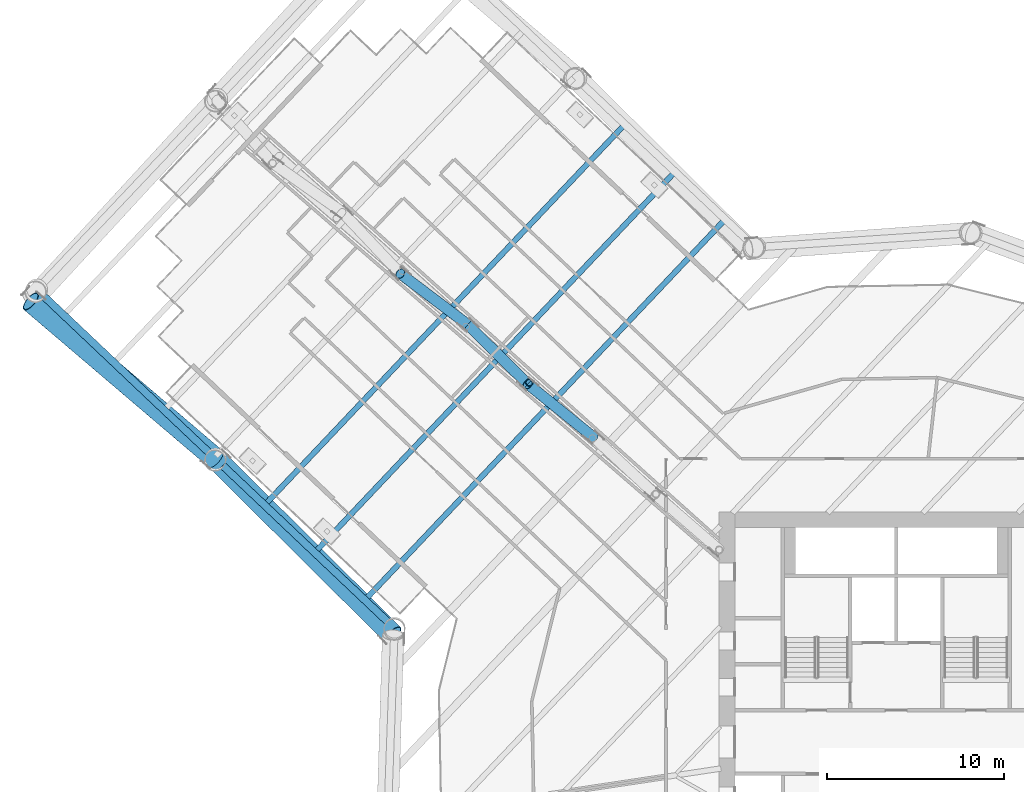
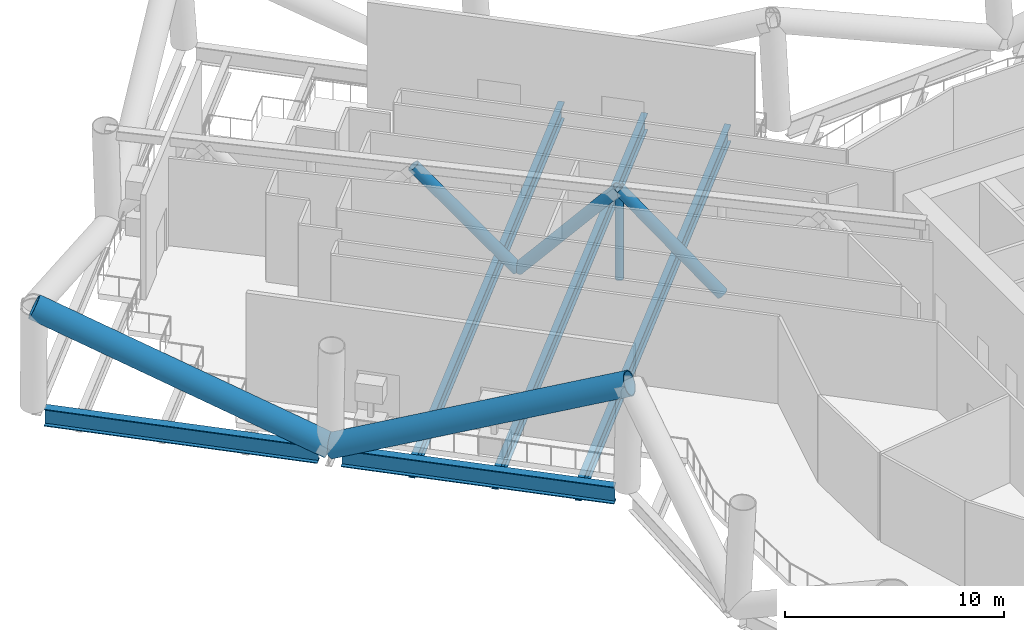
# One storey, part 7 of 39: 6 members, 5 beams.
"""IFC4 building model written with IfcOpenShell, lengths in metres."""

import ifcopenshell
import ifcopenshell.guid

model = None  # the IFC model being written
_history = None  # IfcOwnerHistory: only IFC2X3 demands one
_inside = {}  # id of a spatial element -> (the spatial element, [elements in it])
_under = {}  # id of a project, library or spatial element -> (it, [spatial elements below it])
_declared = {}  # id of a project -> (the project, [libraries it declares])
_typed = {}  # id of a type object -> (the type object, [elements of that type])
_made_of = {}  # id of a material, layer set ... -> (it, [elements and type objects made of it])


def new_model(schema):
    """Start an empty IFC model of exactly this schema.

    Asked for "IFC4X3", IfcOpenShell would pick the latest addendum, in which some entities
    have other attributes; the version numbers below select the first issue.
    IFC2X3 requires an IfcOwnerHistory on every rooted entity: one is made here for all.
    """
    global model, _history
    if schema == "IFC4X3":
        model = ifcopenshell.file(schema_version=(4, 3, 0, 0))
    else:
        model = ifcopenshell.file(schema=schema)
    _inside.clear()
    _under.clear()
    _declared.clear()
    _typed.clear()
    _made_of.clear()
    _history = None
    if model.schema == "IFC2X3":
        org = make("IfcOrganization", Name="unknown")
        user = make(
            "IfcPersonAndOrganization",
            ThePerson=make("IfcPerson", FamilyName="unknown"),
            TheOrganization=org,
        )
        app = make(
            "IfcApplication",
            ApplicationDeveloper=org,
            Version="unknown",
            ApplicationFullName="unknown",
            ApplicationIdentifier="unknown",
        )
        _history = make(
            "IfcOwnerHistory",
            OwningUser=user,
            OwningApplication=app,
            ChangeAction="ADDED",
            CreationDate=0,
        )
    return model


def make(cls, **values):
    """One entity of the class cls with the attributes given. An attribute that is None is left unset."""
    return model.create_entity(
        cls, **{name: value for name, value in values.items() if value is not None}
    )


def rooted(cls, **values):
    """An entity with a GlobalId (a new one), such as an element, a storey or a relation."""
    return make(cls, GlobalId=ifcopenshell.guid.new(), OwnerHistory=_history, **values)


def si_unit(unit_type, name, prefix=None):
    """IfcSIUnit, for example si_unit("LENGTHUNIT", "METRE", prefix="MILLI")."""
    return make("IfcSIUnit", UnitType=unit_type, Prefix=prefix, Name=name)


def assignment(units):
    """IfcUnitAssignment: the units of a project."""
    return None if units is None else make("IfcUnitAssignment", Units=units)


def point(xyz):
    """IfcCartesianPoint."""
    return None if xyz is None else make("IfcCartesianPoint", Coordinates=xyz)


def direction(xyz):
    """IfcDirection."""
    return None if xyz is None else make("IfcDirection", DirectionRatios=xyz)


def frame(location, z_axis=None, x_axis=None):
    """IfcAxis2Placement3D, a coordinate frame: its origin and axes. An axis left out is left unset."""
    return make(
        "IfcAxis2Placement3D",
        Location=point(location),
        Axis=direction(z_axis),
        RefDirection=direction(x_axis),
    )


def frame_2d(location, x_axis=None):
    """IfcAxis2Placement2D, a coordinate frame in the plane: its origin and x axis."""
    return make(
        "IfcAxis2Placement2D", Location=point(location), RefDirection=direction(x_axis)
    )


def origin():
    """The frame at (0, 0, 0) with its axes left unset."""
    return frame((0.0, 0.0, 0.0))


def origin_2d():
    """The frame at (0, 0) in the plane with its x axis left unset."""
    return frame_2d((0.0, 0.0))


def place(relative_to, where):
    """IfcLocalPlacement: puts the frame where relative to a parent placement (None: the world)."""
    return make(
        "IfcLocalPlacement", PlacementRelTo=relative_to, RelativePlacement=where
    )


def context(
    kind, dimensions, precision=None, world=None, true_north=None, identifier=None
):
    """IfcGeometricRepresentationContext, for example the 3D "Model" context."""
    return make(
        "IfcGeometricRepresentationContext",
        ContextIdentifier=identifier,
        ContextType=kind,
        CoordinateSpaceDimension=dimensions,
        Precision=precision,
        WorldCoordinateSystem=world,
        TrueNorth=true_north,
    )


def subcontext(parent, identifier, kind, view, scale=None):
    """IfcGeometricRepresentationSubContext, for example "Body" below "Model"."""
    return make(
        "IfcGeometricRepresentationSubContext",
        ContextIdentifier=identifier,
        ContextType=kind,
        ParentContext=parent,
        TargetScale=scale,
        TargetView=view,
    )


def project(units=None, contexts=None):
    """IfcProject with its units and contexts."""
    return rooted(
        "IfcProject",
        Name="project",
        RepresentationContexts=contexts,
        UnitsInContext=assignment(units),
    )


def spatial(cls, under=None, at=None, **own):
    """A site, building, storey or space (cls), placed at a placement, below another one or the project."""
    s = rooted(cls, ObjectPlacement=at, **own)
    if under is not None:
        _under.setdefault(under.id(), (under, []))[1].append(s)
    return s


def profile(cls, at=None, kind="AREA", **sizes):
    """A parametric profile (cls). Its sizes go by their IFC names, for example OverallWidth=200.0."""
    return make(cls, ProfileType=kind, Position=at, **sizes)


def hollow_circle(**sizes):
    """IfcCircleHollowProfileDef."""
    return profile("IfcCircleHollowProfileDef", **sizes)


def i_section(**sizes):
    """IfcIShapeProfileDef."""
    return profile("IfcIShapeProfileDef", **sizes)


def extrude(swept, where, along, depth):
    """IfcExtrudedAreaSolid: the profile swept, set in the frame where, extruded along a direction by depth."""
    return make(
        "IfcExtrudedAreaSolid",
        SweptArea=swept,
        Position=where,
        ExtrudedDirection=direction(along),
        Depth=depth,
    )


def shape(context_of_items, identifier, shape_type, items):
    """IfcShapeRepresentation: the items that make up one representation, for example the "Body"."""
    return make(
        "IfcShapeRepresentation",
        ContextOfItems=context_of_items,
        RepresentationIdentifier=identifier,
        RepresentationType=shape_type,
        Items=items,
    )


def material(Name=None, Category=None):
    """IfcMaterial."""
    return make("IfcMaterial", Name=Name, Category=Category)


def material_profile(
    of_material, cross_section, Name=None, Category=None, Priority=None
):
    """IfcMaterialProfile: a cross section and its material."""
    return make(
        "IfcMaterialProfile",
        Name=Name,
        Material=of_material,
        Profile=cross_section,
        Priority=Priority,
        Category=Category,
    )


def profile_set(profiles, Name=None, composite=None):
    """IfcMaterialProfileSet."""
    return make(
        "IfcMaterialProfileSet",
        Name=Name,
        MaterialProfiles=profiles,
        CompositeProfile=composite,
    )


def made_of(thing, what):
    """Note that an element or type object is made of a material, layer set ...; save() writes the relation."""
    if what is not None:
        _made_of.setdefault(what.id(), (what, []))[1].append(thing)
    return thing


def type_object(cls, material=None, **own):
    """A type object (cls), such as IfcWallType, which elements share."""
    return made_of(rooted(cls, **own), material)


def element(
    cls,
    number,
    at=None,
    inside=None,
    cuts=None,
    type_object=None,
    material=None,
    context=None,
    identifier="Body",
    shape_type=None,
    held_by="IfcProductDefinitionShape",
    body=None,
    shapes=None,
    **own,
):
    """One element of the class cls, such as IfcWall. Its Tag is "e" and its number.

    at: its placement. inside: the storey or other place that contains it. cuts: it is an
    opening in that element (IfcRelVoidsElement). A single representation is given by context,
    identifier, shape_type and body (its items); several are given by shapes. held_by: the class
    of the entity that holds the representations. save() writes the other relations.
    """
    e = rooted(cls, Tag="e%d" % number, ObjectPlacement=at, **own)
    if body is not None:
        shapes = [shape(context, identifier, shape_type, body)]
    if shapes is not None:
        e.Representation = make(held_by, Representations=shapes)
    if inside is not None:
        _inside.setdefault(inside.id(), (inside, []))[1].append(e)
    if cuts is not None:
        rooted(
            "IfcRelVoidsElement", RelatingBuildingElement=cuts, RelatedOpeningElement=e
        )
    if type_object is not None:
        _typed.setdefault(type_object.id(), (type_object, []))[1].append(e)
    return made_of(e, material)


def aggregate(whole, parts):
    """IfcRelAggregates: a whole, such as a stair, and the parts it consists of."""
    return rooted("IfcRelAggregates", RelatingObject=whole, RelatedObjects=parts)


def save(model, path):
    """Write the relations noted so far, then the file.

    IfcRelAggregates (storeys below a building ...), IfcRelContainedInSpatialStructure (elements
    in a storey), IfcRelDefinesByType, IfcRelAssociatesMaterial and IfcRelDeclares: one each for
    every whole, place, type object, material and project.
    """
    for whole, parts in _under.values():
        aggregate(whole, parts)
    for where, things in _inside.values():
        rooted(
            "IfcRelContainedInSpatialStructure",
            RelatedElements=things,
            RelatingStructure=where,
        )
    for kind, things in _typed.values():
        rooted("IfcRelDefinesByType", RelatedObjects=things, RelatingType=kind)
    for what, things in _made_of.values():
        rooted("IfcRelAssociatesMaterial", RelatedObjects=things, RelatingMaterial=what)
    for by, libraries in _declared.values():
        rooted("IfcRelDeclares", RelatingContext=by, RelatedDefinitions=libraries)
    model.write(path)


model = new_model("IFC4")

# Units and contexts
model_context = context("Model", 3, precision=1e-05, world=origin(), true_north=direction((0.0, 1.0)))
body_context = subcontext(model_context, "Body", "Model", "MODEL_VIEW")
ifc_project = project(units=[si_unit("LENGTHUNIT", "METRE"), si_unit("AREAUNIT", "SQUARE_METRE"), si_unit("VOLUMEUNIT", "CUBIC_METRE"), si_unit("PLANEANGLEUNIT", "RADIAN"), si_unit("MASSUNIT", "GRAM", prefix="KILO")], contexts=[model_context])

# Site, building, storey
site_placement = place(None, origin())
site = spatial("IfcSite", under=ifc_project, at=site_placement, CompositionType="ELEMENT")
building_placement = place(site_placement, origin())
building = spatial("IfcBuilding", under=site, at=building_placement, Name="Tarsis Ring Headquarters", CompositionType="ELEMENT")
storey_placement = place(building_placement, frame((0.0, 0.0, 86.800048828125)))
storey = spatial("IfcBuildingStorey", under=building, at=storey_placement, Name="L19", CompositionType="ELEMENT", Elevation=86.800048828125)

# Beams
ifc_material_1 = material(Name="Structural steel S355", Category="steel")
ifc_material_profile_1 = material_profile(ifc_material_1, i_section(OverallWidth=0.309814453125, OverallDepth=0.949951171875, WebThickness=0.0244140625, FlangeThickness=0.0439453125, at=origin_2d()), Name="W36x256")
ifc_profile_set_1 = profile_set([ifc_material_profile_1], Name="Structural steel S355")
beam_type_1 = type_object("IfcBeamType", Name="FB Floor beam W36x256", PredefinedType="JOIST", material=ifc_profile_set_1)
for number, where, z_axis, x_axis, name in (
    (1, (-9.7333984375, 29.432861328125, -0.775146484375), (-0.687340435099, -0.726335408939, 0.0), (0.726335408939, -0.687340435099, 0.0), "Floor beam FB11"),
    (2, (-12.566162109375, 32.11328125, -0.775146484375), (-0.687340435099, -0.726335408939, 0.0), (0.726335408939, -0.687340435099, 0.0), "Floor beam FB11"),
    (3, (-15.398681640625, 34.7939453125, -0.775146484375), (-0.687340435099, -0.726335408939, 0.0), (0.726335408939, -0.687340435099, 0.0), "Floor beam FB11"),
):
    element("IfcBeam", number, at=place(storey_placement, frame(where, z_axis=z_axis, x_axis=x_axis)), inside=storey, type_object=beam_type_1, Name=name, PredefinedType="JOIST", context=body_context, shape_type="SweptSolid", body=[
        extrude(i_section(OverallWidth=0.309814453125, OverallDepth=0.949951171875, WebThickness=0.0244140625, FlangeThickness=0.0439453125, at=origin_2d()), origin(), (0.0, 0.0, 1.0), 29.375732421875),
    ])

# Members
ifc_material_profile_2 = material_profile(ifc_material_1, hollow_circle(Radius=0.3046875, WallThickness=0.02490234375, at=origin_2d()), Name="CHS 610x25")
ifc_profile_set_2 = profile_set([ifc_material_profile_2], Name="Structural steel S355")
member_type_1 = type_object("IfcMemberType", Name="OD Outrigger diagonal CHS 610x25", PredefinedType="BRACE", material=ifc_profile_set_2)
member_1_placement = place(storey_placement, frame((-17.0927734375, 17.20654296875, 0.25390625), z_axis=(-0.518451970468, 0.41951075473, 0.74512970749), x_axis=(-0.629027503004, -0.777383046165, 0.0)))
element("IfcMember", 4, at=member_1_placement, inside=storey, type_object=member_type_1, Name="Outrigger diagonal OD1", PredefinedType="BRACE", context=body_context, shape_type="SweptSolid", body=[
    extrude(hollow_circle(Radius=0.3046875, WallThickness=0.02490234375, at=origin_2d()), origin(), (0.0, 0.0, 1.0), 7.15576171875),
])
member_2_placement = place(storey_placement, frame((-20.802734375, 20.20849609375, 5.5859375), z_axis=(-0.473169876844, 0.46890123982, -0.745816260846), x_axis=(-0.70389556988, -0.710303475075, 0.0)))
element("IfcMember", 5, at=member_2_placement, inside=storey, type_object=member_type_1, Name="Outrigger diagonal OD1", PredefinedType="BRACE", context=body_context, shape_type="SweptSolid", body=[
    extrude(hollow_circle(Radius=0.3046875, WallThickness=0.02490234375, at=origin_2d()), origin(), (0.0, 0.0, 1.0), 7.149169921875),
])
member_3_placement = place(storey_placement, frame((-24.185546875, 23.560791015625, 0.25390625), z_axis=(-0.53297800588, 0.402680863923, 0.744165685233), x_axis=(-0.602820100424, -0.797877137487, 0.0)))
element("IfcMember", 6, at=member_3_placement, inside=storey, type_object=member_type_1, Name="Outrigger diagonal OD1", PredefinedType="BRACE", context=body_context, shape_type="SweptSolid", body=[
    extrude(hollow_circle(Radius=0.3046875, WallThickness=0.02490234375, at=origin_2d()), origin(), (0.0, 0.0, 1.0), 7.1650390625),
])
ifc_material_profile_3 = material_profile(ifc_material_1, hollow_circle(Radius=0.203125, WallThickness=0.01611328125, at=origin_2d()), Name="CHS 406x16")
ifc_profile_set_3 = profile_set([ifc_material_profile_3], Name="Structural steel S355")
member_type_2 = type_object("IfcMemberType", Name="OV Outrigger post CHS 406x16", PredefinedType="STRUT", material=ifc_profile_set_3)
member_4_placement = place(storey_placement, frame((-20.720947265625, 20.296142578125, 0.508056640625), z_axis=(0.0, 0.0, 1.0), x_axis=(1.0, 0.0, 0.0)))
element("IfcMember", 7, at=member_4_placement, inside=storey, type_object=member_type_2, Name="Outrigger post OV1", PredefinedType="STRUT", context=body_context, shape_type="SweptSolid", body=[
    extrude(hollow_circle(Radius=0.203125, WallThickness=0.01611328125, at=origin_2d()), origin(), (0.0, 0.0, 1.0), 4.823974609375),
])
ifc_material_2 = material(Name="Structural steel S460", Category="steel")
ifc_material_profile_4 = material_profile(ifc_material_2, hollow_circle(Radius=0.609619140625, WallThickness=0.050048828125, at=origin_2d()), Name="CHS 1219x50")
ifc_profile_set_4 = profile_set([ifc_material_profile_4], Name="Structural steel S460")
member_type_3 = type_object("IfcMemberType", Name="TD Belt truss diagonal CHS 1219x50", PredefinedType="BRACE", material=ifc_profile_set_4)
member_5_placement = place(storey_placement, frame((-38.425537109375, 15.986328125, 0.0), z_axis=(-0.697471961729, 0.59404009573, 0.400810712516), x_axis=(-0.648401501854, -0.761298556674, 0.0)))
element("IfcMember", 8, at=member_5_placement, inside=storey, type_object=member_type_3, Name="Belt truss diagonal TD1", PredefinedType="BRACE", context=body_context, shape_type="SweptSolid", body=[
    extrude(hollow_circle(Radius=0.609619140625, WallThickness=0.050048828125, at=origin_2d()), origin(), (0.0, 0.0, 1.0), 14.9697265625),
])
member_6_placement = place(storey_placement, frame((-38.425537109375, 15.986328125, 0.0), z_axis=(0.65303291123, -0.648399439473, 0.391313408588), x_axis=(0.70458481309, 0.709619786338, 0.0)))
element("IfcMember", 9, at=member_6_placement, inside=storey, type_object=member_type_3, Name="Belt truss diagonal TD1", PredefinedType="BRACE", context=body_context, shape_type="SweptSolid", body=[
    extrude(hollow_circle(Radius=0.609619140625, WallThickness=0.050048828125, at=origin_2d()), origin(), (0.0, 0.0, 1.0), 15.3330078125),
])

# Beams
ifc_material_profile_5 = material_profile(ifc_material_1, i_section(OverallWidth=0.42431640625, OverallDepth=0.947509765625, WebThickness=0.02392578125, FlangeThickness=0.042724609375, at=origin_2d()), Name="W36x302")
ifc_profile_set_5 = profile_set([ifc_material_profile_5], Name="Structural steel S355")
beam_type_2 = type_object("IfcBeamType", Name="XG Ring girder W36x302", PredefinedType="BEAM", material=ifc_profile_set_5)
beam_1_placement = place(storey_placement, frame((-48.12451171875, 25.164794921875, -0.4736328125), z_axis=(0.726323824712, -0.687352676328, 0.0), x_axis=(0.687352676328, 0.726323824712, 0.0)))
element("IfcBeam", 10, at=beam_1_placement, inside=storey, type_object=beam_type_2, Name="Ring girder XG1", PredefinedType="BEAM", context=body_context, shape_type="SweptSolid", body=[
    extrude(i_section(OverallWidth=0.42431640625, OverallDepth=0.947509765625, WebThickness=0.02392578125, FlangeThickness=0.042724609375, at=origin_2d()), origin(), (0.0, 0.0, 1.0), 12.804931640625),
])
beam_2_placement = place(storey_placement, frame((-38.02685546875, 15.609130859375, -0.4736328125), z_axis=(0.726333343349, -0.687342617869, 0.0), x_axis=(0.687342617869, 0.726333343349, 0.0)))
element("IfcBeam", 11, at=beam_2_placement, inside=storey, type_object=beam_type_2, Name="Ring girder XG1", PredefinedType="BEAM", context=body_context, shape_type="SweptSolid", body=[
    extrude(i_section(OverallWidth=0.42431640625, OverallDepth=0.947509765625, WebThickness=0.02392578125, FlangeThickness=0.042724609375, at=origin_2d()), origin(), (0.0, 0.0, 1.0), 12.8046875),
])

save(model, "model.ifc")
